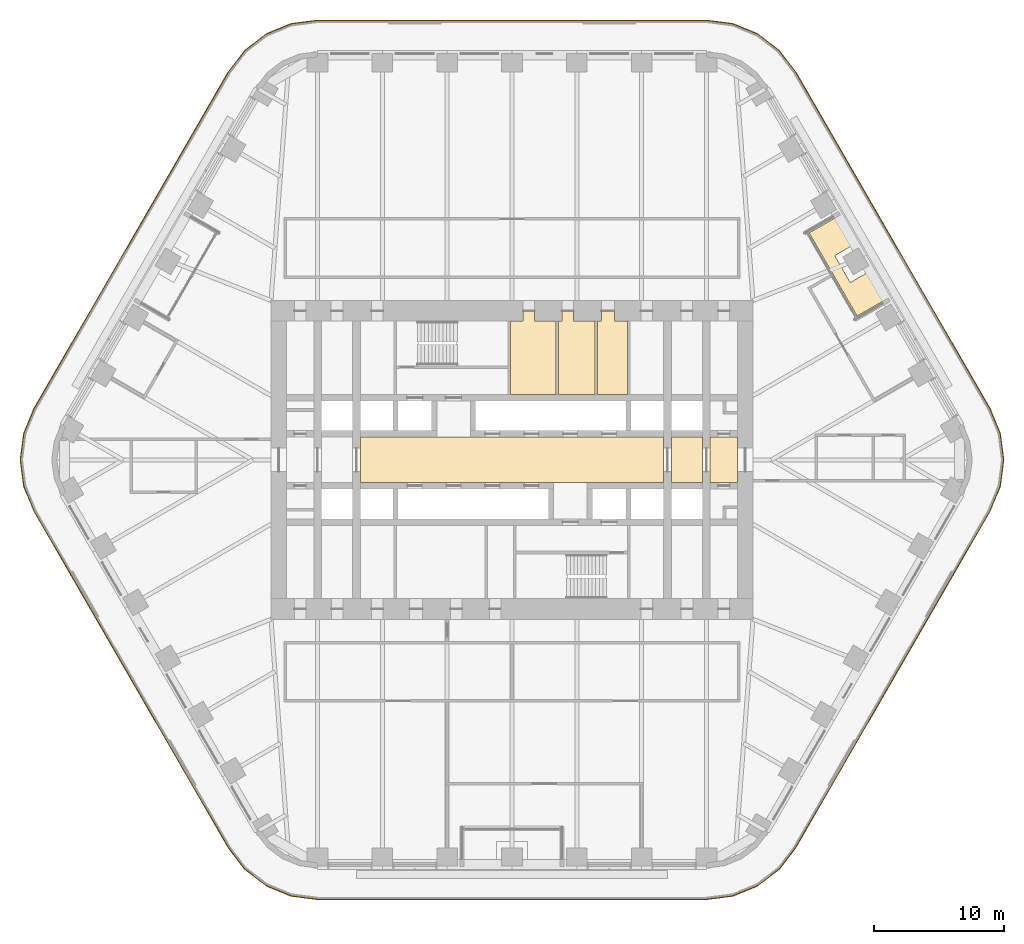
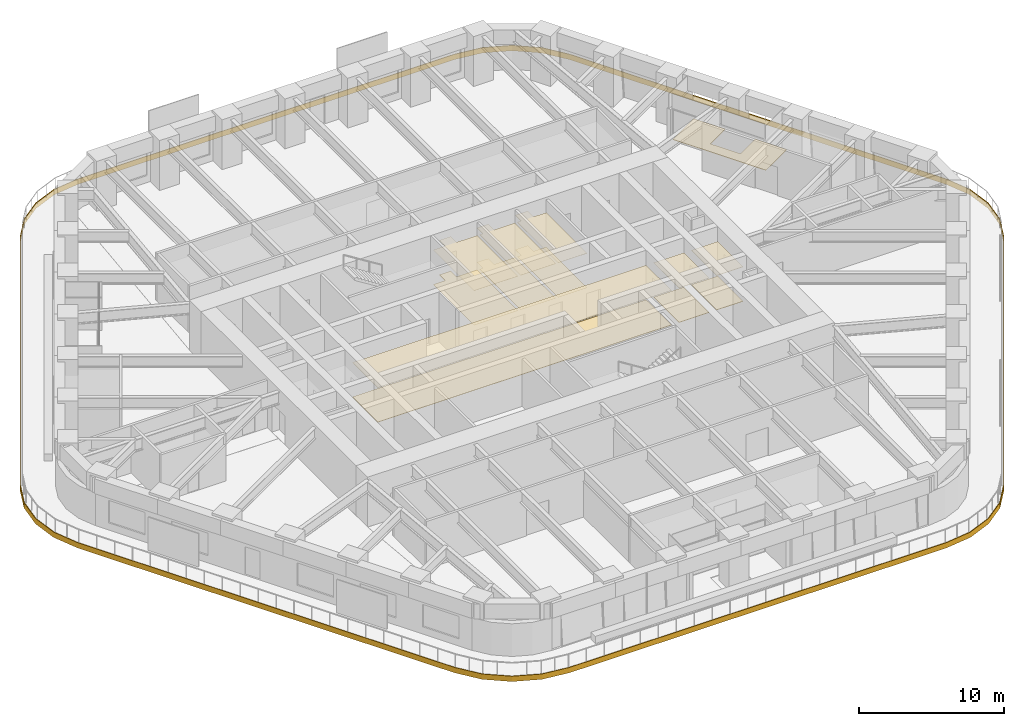
# One storey, part 23 of 24: 14 coverings.
"""IFC4 building model written with IfcOpenShell, lengths in metres."""

from ifc_helpers import new_model, si_unit, direction, frame, origin, place, context, subcontext, project, spatial, polyline, outline, extrude, material, layer, layer_set, type_object, element, save


model = new_model("IFC4")

# Units and contexts
model_context = context("Model", 3, precision=1e-05, world=origin(), true_north=direction((0.0, 1.0)))
body_context = subcontext(model_context, "Body", "Model", "MODEL_VIEW")
ifc_project = project(units=[si_unit("LENGTHUNIT", "METRE"), si_unit("AREAUNIT", "SQUARE_METRE"), si_unit("VOLUMEUNIT", "CUBIC_METRE"), si_unit("PLANEANGLEUNIT", "RADIAN"), si_unit("MASSUNIT", "GRAM", prefix="KILO")], contexts=[model_context])

# Site, building, storey
site_placement = place(None, origin())
site = spatial("IfcSite", under=ifc_project, at=site_placement, CompositionType="ELEMENT")
building_placement = place(site_placement, origin())
building = spatial("IfcBuilding", under=site, at=building_placement, Name="Tarfa Lantern Tower", CompositionType="ELEMENT")
storey_placement = place(building_placement, frame((0.0, 0.0, 174.10009765625)))
storey = spatial("IfcBuildingStorey", under=building, at=storey_placement, Name="L39", CompositionType="ELEMENT", Elevation=174.10009765625)

# Coverings
ifc_material_1 = material(Name="Moisture-resistant plasterboard", Category="finish")
ifc_layer_1 = layer(ifc_material_1, 0.014892578125)
ifc_layer_set_1 = layer_set([ifc_layer_1], Name="CL2 MOISTURE-RESISTANT PLASTERBOARD CEILING 15")
covering_type_1 = type_object("IfcCoveringType", Name="CL2 MOISTURE-RESISTANT PLASTERBOARD CEILING 15", PredefinedType="CEILING", material=ifc_layer_set_1)
covering_1_placement = place(storey_placement, frame((0.0, 0.0, 2.89990234375)))
element("IfcCovering", 1, at=covering_1_placement, inside=storey, type_object=covering_type_1, Name="Ceiling L39-09", PredefinedType="CEILING", context=body_context, shape_type="SweptSolid", body=[
    extrude(outline(polyline([(0.85009765625, 10.699951171875), (-0.10009765625, 10.699951171875), (-0.10009765625, 5.050048828125), (3.39990234375, 5.050048828125), (3.39990234375, 10.699951171875), (1.75, 10.699951171875), (1.75, 11.5), (0.85009765625, 11.5), (0.85009765625, 11.5), (0.85009765625, 10.699951171875)])), origin(), (0.0, 0.0, 1.0), 0.014892578125),
])
covering_2_placement = place(storey_placement, frame((0.0, 0.0, 2.89990234375)))
element("IfcCovering", 2, at=covering_2_placement, inside=storey, type_object=covering_type_1, Name="Ceiling L39-10", PredefinedType="CEILING", context=body_context, shape_type="SweptSolid", body=[
    extrude(outline(polyline([(3.60009765625, 5.050048828125), (6.39990234375, 5.050048828125), (6.39990234375, 10.699951171875), (4.75, 10.699951171875), (4.75, 11.5), (3.85009765625, 11.5), (3.85009765625, 10.699951171875), (3.60009765625, 10.699951171875), (3.60009765625, 5.050048828125)])), origin(), (0.0, 0.0, 1.0), 0.014892578125),
])
covering_3_placement = place(storey_placement, frame((0.0, 0.0, 2.89990234375)))
element("IfcCovering", 3, at=covering_3_placement, inside=storey, type_object=covering_type_1, Name="Ceiling L39-11", PredefinedType="CEILING", context=body_context, shape_type="SweptSolid", body=[
    extrude(outline(polyline([(6.60009765625, 5.050048828125), (8.89990234375, 5.050048828125), (8.89990234375, 10.699951171875), (7.89990234375, 10.699951171875), (7.89990234375, 11.5), (6.89990234375, 11.5), (6.89990234375, 10.699951171875), (6.60009765625, 10.699951171875), (6.60009765625, 5.050048828125)])), origin(), (0.0, 0.0, 1.0), 0.014892578125),
])
ifc_material_2 = material(Name="Powder-coated aluminium panel", Category="aluminium")
ifc_layer_2 = layer(ifc_material_2, 0.030029296875)
ifc_layer_set_2 = layer_set([ifc_layer_2], Name="CL3 METAL PANEL CEILING 30")
covering_type_2 = type_object("IfcCoveringType", Name="CL3 METAL PANEL CEILING 30", PredefinedType="CEILING", material=ifc_layer_set_2)
covering_4_placement = place(storey_placement, frame((0.0, 0.0, 2.89990234375)))
element("IfcCovering", 4, at=covering_4_placement, inside=storey, type_object=covering_type_2, Name="Ceiling L39-03", PredefinedType="CEILING", context=body_context, shape_type="SweptSolid", body=[
    extrude(outline(polyline([(-11.699951171875, -1.75), (11.699951171875, -1.75), (11.699951171875, 1.75), (-11.699951171875, 1.75), (-11.699951171875, -1.75)])), origin(), (0.0, 0.0, 1.0), 0.030029296875),
])
covering_5_placement = place(storey_placement, frame((0.0, 0.0, 2.89990234375)))
element("IfcCovering", 5, at=covering_5_placement, inside=storey, type_object=covering_type_2, Name="Ceiling L39-04", PredefinedType="CEILING", context=body_context, shape_type="SweptSolid", body=[
    extrude(outline(polyline([(12.300048828125, -1.75), (14.699951171875, -1.75), (14.699951171875, 1.75), (12.300048828125, 1.75), (12.300048828125, -1.75)])), origin(), (0.0, 0.0, 1.0), 0.030029296875),
])
covering_6_placement = place(storey_placement, frame((0.0, 0.0, 2.89990234375)))
element("IfcCovering", 6, at=covering_6_placement, inside=storey, type_object=covering_type_2, Name="Ceiling L39-05", PredefinedType="CEILING", context=body_context, shape_type="SweptSolid", body=[
    extrude(outline(polyline([(15.300048828125, -1.75), (17.39990234375, -1.75), (17.39990234375, 1.75), (15.300048828125, 1.75), (15.300048828125, -1.75)])), origin(), (0.0, 0.0, 1.0), 0.030029296875),
])
ifc_material_3 = material(Name="Honed limestone flooring", Category="masonry")
ifc_layer_3 = layer(ifc_material_3, 0.030029296875)
ifc_layer_set_3 = layer_set([ifc_layer_3], Name="FL2 STONE FLOORING 30")
covering_type_3 = type_object("IfcCoveringType", Name="FL2 STONE FLOORING 30", PredefinedType="FLOORING", material=ifc_layer_set_3)
covering_7_placement = place(storey_placement, origin())
element("IfcCovering", 7, at=covering_7_placement, inside=storey, type_object=covering_type_3, Name="Floor finish L39-03", PredefinedType="FLOORING", context=body_context, shape_type="SweptSolid", body=[
    extrude(outline(polyline([(-11.699951171875, -1.75), (11.699951171875, -1.75), (11.699951171875, 1.75), (-11.699951171875, 1.75), (-11.699951171875, -1.75)])), origin(), (0.0, 0.0, 1.0), 0.02978515625),
])
covering_8_placement = place(storey_placement, origin())
element("IfcCovering", 8, at=covering_8_placement, inside=storey, type_object=covering_type_3, Name="Floor finish L39-04", PredefinedType="FLOORING", context=body_context, shape_type="SweptSolid", body=[
    extrude(outline(polyline([(12.300048828125, -1.75), (14.699951171875, -1.75), (14.699951171875, 1.75), (12.300048828125, 1.75), (12.300048828125, -1.75)])), origin(), (0.0, 0.0, 1.0), 0.02978515625),
])
covering_9_placement = place(storey_placement, origin())
element("IfcCovering", 9, at=covering_9_placement, inside=storey, type_object=covering_type_3, Name="Floor finish L39-05", PredefinedType="FLOORING", context=body_context, shape_type="SweptSolid", body=[
    extrude(outline(polyline([(15.300048828125, -1.75), (17.39990234375, -1.75), (17.39990234375, 1.75), (15.300048828125, 1.75), (15.300048828125, -1.75)])), origin(), (0.0, 0.0, 1.0), 0.02978515625),
])
ifc_material_4 = material(Name="Porcelain floor tile", Category="finish")
ifc_layer_4 = layer(ifc_material_4, 0.011962890625)
ifc_layer_set_4 = layer_set([ifc_layer_4], Name="FL3 CERAMIC TILE 12")
covering_type_4 = type_object("IfcCoveringType", Name="FL3 CERAMIC TILE 12", PredefinedType="FLOORING", material=ifc_layer_set_4)
covering_10_placement = place(storey_placement, origin())
element("IfcCovering", 10, at=covering_10_placement, inside=storey, type_object=covering_type_4, Name="Floor finish L39-09", PredefinedType="FLOORING", context=body_context, shape_type="SweptSolid", body=[
    extrude(outline(polyline([(0.85009765625, 10.699951171875), (-0.10009765625, 10.699951171875), (-0.10009765625, 5.050048828125), (3.39990234375, 5.050048828125), (3.39990234375, 10.699951171875), (1.75, 10.699951171875), (1.75, 11.5), (0.85009765625, 11.5), (0.85009765625, 11.5), (0.85009765625, 10.699951171875)])), origin(), (0.0, 0.0, 1.0), 0.011962890625),
])
covering_11_placement = place(storey_placement, origin())
element("IfcCovering", 11, at=covering_11_placement, inside=storey, type_object=covering_type_4, Name="Floor finish L39-10", PredefinedType="FLOORING", context=body_context, shape_type="SweptSolid", body=[
    extrude(outline(polyline([(3.60009765625, 5.050048828125), (6.39990234375, 5.050048828125), (6.39990234375, 10.699951171875), (4.75, 10.699951171875), (4.75, 11.5), (3.85009765625, 11.5), (3.85009765625, 10.699951171875), (3.60009765625, 10.699951171875), (3.60009765625, 5.050048828125)])), origin(), (0.0, 0.0, 1.0), 0.011962890625),
])
covering_12_placement = place(storey_placement, origin())
element("IfcCovering", 12, at=covering_12_placement, inside=storey, type_object=covering_type_4, Name="Floor finish L39-11", PredefinedType="FLOORING", context=body_context, shape_type="SweptSolid", body=[
    extrude(outline(polyline([(6.60009765625, 5.050048828125), (8.89990234375, 5.050048828125), (8.89990234375, 10.699951171875), (7.89990234375, 10.699951171875), (7.89990234375, 11.5), (6.89990234375, 11.5), (6.89990234375, 10.699951171875), (6.60009765625, 10.699951171875), (6.60009765625, 5.050048828125)])), origin(), (0.0, 0.0, 1.0), 0.011962890625),
])
ifc_material_5 = material(Name="Porcelain pavers on pedestals", Category="ceramic")
ifc_layer_5 = layer(ifc_material_5, 0.0400390625)
ifc_layer_set_5 = layer_set([ifc_layer_5], Name="LP1 LOGGIA PAVING 40")
covering_type_5 = type_object("IfcCoveringType", Name="LP1 LOGGIA PAVING 40", PredefinedType="FLOORING", material=ifc_layer_set_5)
covering_13_placement = place(storey_placement, origin())
element("IfcCovering", 13, at=covering_13_placement, inside=storey, type_object=covering_type_5, Name="Loggia paving NE", PredefinedType="FLOORING", context=body_context, shape_type="SweptSolid", body=[
    extrude(outline(polyline([(29.131591796875, 12.54248046875), (26.637451171875, 11.1025390625), (22.933837890625, 17.517578125), (25.427978515625, 18.95751953125), (26.6796875, 16.789306640625), (24.904541015625, 15.76416015625), (26.1044921875, 13.685791015625), (27.8798828125, 14.710693359375), (29.131591796875, 12.54248046875)])), origin(), (0.0, 0.0, 1.0), 0.039794921875),
])
ifc_material_6 = material(Name="Limestone cladding on brackets", Category="masonry")
ifc_layer_6 = layer(ifc_material_6, 0.050048828125)
ifc_layer_set_6 = layer_set([ifc_layer_6], Name="SB1 STONE BAND CLADDING 50")
covering_type_6 = type_object("IfcCoveringType", Name="SB1 STONE BAND CLADDING 50", PredefinedType="CLADDING", material=ifc_layer_set_6)
covering_14_placement = place(storey_placement, frame((0.0, 0.0, -0.400146484375)))
element("IfcCovering", 14, at=covering_14_placement, inside=storey, type_object=covering_type_6, Name="Stone band", PredefinedType="CLADDING", context=body_context, shape_type="SweptSolid", body=[
    extrude(outline(polyline([(36.9072265625, 3.97509765625), (21.89599609375, 29.97509765625), (20.632568359375, 31.62158203125), (18.986083984375, 32.885009765625), (17.068603515625, 33.67919921875), (15.010986328125, 33.949951171875), (-15.010986328125, 33.949951171875), (-17.068603515625, 33.67919921875), (-18.986083984375, 32.885009765625), (-20.632568359375, 31.62158203125), (-21.89599609375, 29.97509765625), (-36.9072265625, 3.97509765625), (-37.701416015625, 2.0576171875), (-37.97216796875, 0.0), (-37.701416015625, -2.0576171875), (-36.9072265625, -3.97509765625), (-21.89599609375, -29.97509765625), (-20.632568359375, -31.62158203125), (-18.986083984375, -32.885009765625), (-17.068603515625, -33.67919921875), (-15.010986328125, -33.949951171875), (15.010986328125, -33.949951171875), (17.068603515625, -33.67919921875), (18.986083984375, -32.885009765625), (20.632568359375, -31.62158203125), (21.89599609375, -29.97509765625), (36.9072265625, -3.97509765625), (37.701416015625, -2.0576171875), (37.97216796875, 0.0), (37.701416015625, 2.0576171875), (36.9072265625, 3.97509765625)]), holes=[polyline([(36.86376953125, 3.949951171875), (21.852783203125, 29.949951171875), (20.59716796875, 31.586181640625), (18.961181640625, 32.841552734375), (17.0556640625, 33.630859375), (15.010986328125, 33.89990234375), (-15.010986328125, 33.89990234375), (-17.0556640625, 33.630859375), (-18.961181640625, 32.841552734375), (-20.59716796875, 31.586181640625), (-21.852783203125, 29.949951171875), (-36.86376953125, 3.949951171875), (-37.653076171875, 2.044677734375), (-37.922119140625, 0.0), (-37.653076171875, -2.044677734375), (-36.86376953125, -3.949951171875), (-21.852783203125, -29.949951171875), (-20.59716796875, -31.586181640625), (-18.961181640625, -32.841552734375), (-17.0556640625, -33.630859375), (-15.010986328125, -33.89990234375), (15.010986328125, -33.89990234375), (17.0556640625, -33.630859375), (18.961181640625, -32.841552734375), (20.59716796875, -31.586181640625), (21.852783203125, -29.949951171875), (36.86376953125, -3.949951171875), (37.653076171875, -2.044677734375), (37.922119140625, 0.0), (37.653076171875, 2.044677734375), (36.86376953125, 3.949951171875)])]), origin(), (0.0, 0.0, 1.0), 0.449951171875),
])

save(model, "model.ifc")
